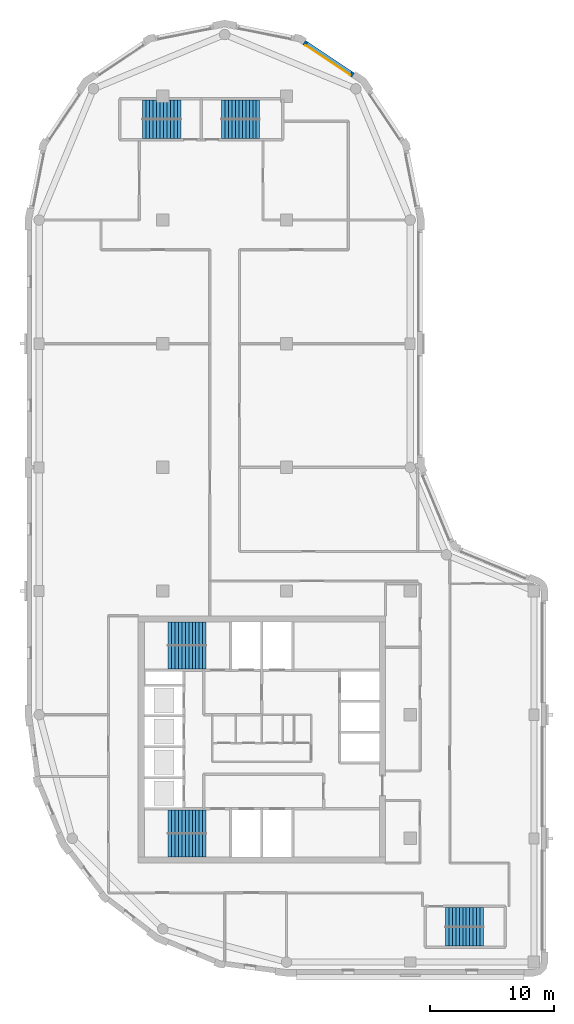
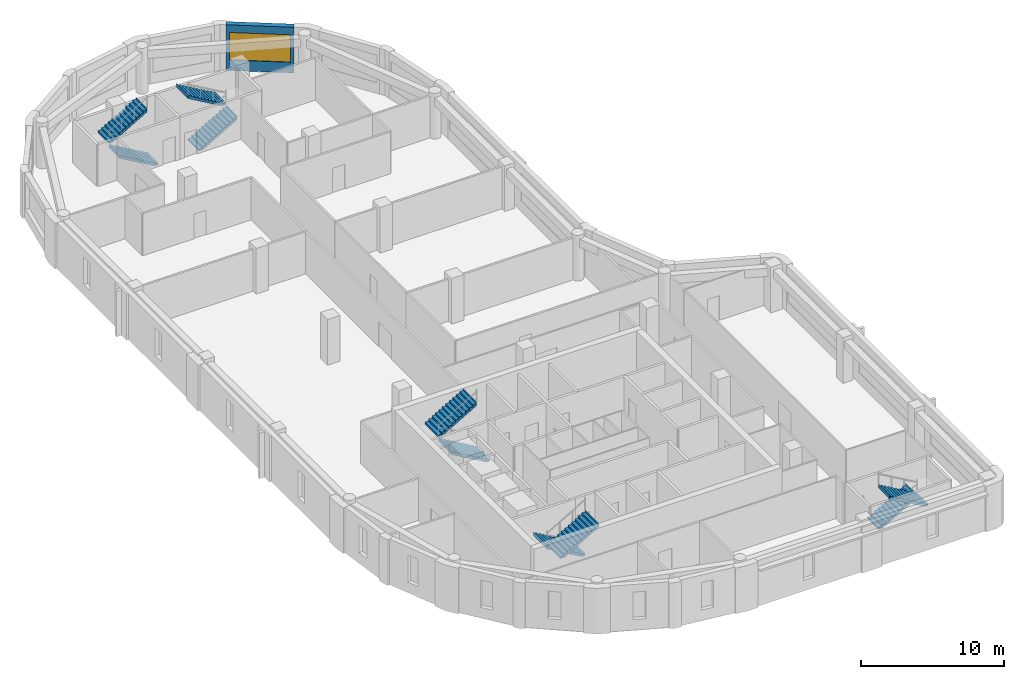
# One storey, part 6 of 8: 10 stair flights, 1 wall, 1 window, 1 opening, 5 elements without a shape of their own.
"""IFC4 building model written with IfcOpenShell, lengths in metres."""

from ifc_helpers import new_model, si_unit, direction, frame, frame_2d, origin, place, context, subcontext, project, spatial, polyline, rectangle, outline, extrude, material, layer, layer_set, type_object, element, fill, aggregate, save


model = new_model("IFC4")

# Units and contexts
model_context = context("Model", 3, precision=1e-05, world=origin(), true_north=direction((0.0, 1.0)))
body_context = subcontext(model_context, "Body", "Model", "MODEL_VIEW")
ifc_project = project(units=[si_unit("LENGTHUNIT", "METRE"), si_unit("AREAUNIT", "SQUARE_METRE"), si_unit("VOLUMEUNIT", "CUBIC_METRE"), si_unit("PLANEANGLEUNIT", "RADIAN"), si_unit("MASSUNIT", "GRAM", prefix="KILO")], contexts=[model_context])

# Site, building, storey
site_placement = place(None, origin())
site = spatial("IfcSite", under=ifc_project, at=site_placement, CompositionType="ELEMENT")
building_placement = place(site_placement, origin())
building = spatial("IfcBuilding", under=site, at=building_placement, Name="Qaws Garden Tower", CompositionType="ELEMENT")
storey_placement = place(building_placement, frame((0.0, 0.0, 302.10009765625)))
storey = spatial("IfcBuildingStorey", under=building, at=storey_placement, Name="L73", CompositionType="ELEMENT", Elevation=302.10009765625)

# Wall, opening, window
ifc_material_1 = material(Name="Clay facing brick masonry", Category="masonry")
ifc_layer = layer(ifc_material_1, 0.39990234375)
ifc_layer_set = layer_set([ifc_layer], Name="Clay facing brick masonry")
wall_type = type_object("IfcWallType", Name="Brick infill wall 400", PredefinedType="SOLIDWALL", material=ifc_layer_set)
wall_placement = place(storey_placement, frame((25.385986328125, 71.71630859375, 0.0), z_axis=(0.0, 0.0, 1.0), x_axis=(-0.831488775454, 0.555541552266, 0.0)))
wall = element("IfcWall", 1, at=wall_placement, inside=storey, type_object=wall_type, Name="E-L73-infill-11", PredefinedType="SOLIDWALL", context=body_context, shape_type="SweptSolid", body=[
    extrude(rectangle(XDim=4.752685546875, YDim=0.39990234375, at=frame_2d((2.37646484375, 0.0))), origin(), (0.0, 0.0, 1.0), 3.89990234375),
])
opening_placement = place(wall_placement, frame((0.226318359375, 0.0, 0.89990234375)))
opening = element("IfcOpeningElement", 2, at=opening_placement, cuts=wall, Name="Opening W06", PredefinedType="OPENING", context=body_context, shape_type="SweptSolid", body=[
    extrude(rectangle(XDim=4.300048828125, YDim=2.35009765625, at=frame_2d((2.14990234375, 1.175048828125))), frame((0.0, 0.2099609375, 0.0), z_axis=(0.0, -1.0, 0.0), x_axis=(1.0, 0.0, 0.0)), (0.0, 0.0, 1.0), 0.419921875),
])
ifc_material_2 = material(Name="Aluminium framed window, clear glazing", Category="aluminium")
window_type = type_object("IfcWindowType", Name="Ribbon window 4300 x 2350", PartitioningType="DOUBLE_PANEL_VERTICAL", PredefinedType="WINDOW", material=ifc_material_2)
window_placement = place(opening_placement, origin())
window = element("IfcWindow", 3, at=window_placement, inside=storey, type_object=window_type, Name="E-L73-window-11-0", OverallHeight=2.35009765625, OverallWidth=4.300048828125, PartitioningType="SINGLE_PANEL", PredefinedType="WINDOW", context=body_context, shape_type="SweptSolid", body=[
    extrude(rectangle(XDim=4.300048828125, YDim=2.35009765625, at=frame_2d((2.14990234375, 1.175048828125))), frame((0.0, 0.159912109375, 0.0), z_axis=(0.0, -1.0, 0.0), x_axis=(1.0, 0.0, 0.0)), (0.0, 0.0, 1.0), 0.06005859375),
])
fill(opening, window)

# Stair, stair flights
ifc_material_3 = material(Name="Concrete C40", Category="concrete")
stair_type_1 = type_object("IfcStairType", Name="Exit stair 1350", PredefinedType="HALF_TURN_STAIR", material=ifc_material_3)
placement = place(storey_placement, origin())
stair_1 = element("IfcStair", 4, at=placement, inside=storey, type_object=stair_type_1, Name="Stair 5", PredefinedType="HALF_TURN_STAIR")
ifc_material_4 = material(Name="Concrete C40", Category="concrete")
stair_flight_type_1 = type_object("IfcStairFlightType", Name="Stair flight 1350", PredefinedType="STRAIGHT", material=ifc_material_4)
stair_flight_1_placement = place(storey_placement, frame((32.85009765625, 3.625, 0.0), z_axis=(0.0, 0.0, 1.0), x_axis=(1.0, 0.0, 0.0)))
stair_flight_1 = element("IfcStairFlight", 5, at=stair_flight_1_placement, type_object=stair_flight_type_1, Name="ST5 flight 1", NumberOfRisers=12, NumberOfTreads=11, PredefinedType="STRAIGHT", RiserHeight=0.1625, TreadLength=0.28, context=body_context, shape_type="SweptSolid", body=[
    extrude(outline(polyline([(-0.0029296875, 0.0), (-0.0029296875, 0.16259765625), (0.0, 0.16259765625), (0.280029296875, 0.16259765625), (0.280029296875, 0.324951171875), (0.56005859375, 0.324951171875), (0.56005859375, 0.487548828125), (0.840087890625, 0.487548828125), (0.840087890625, 0.64990234375), (1.1201171875, 0.64990234375), (1.1201171875, 0.8125), (1.39990234375, 0.8125), (1.39990234375, 0.97509765625), (1.679931640625, 0.97509765625), (1.679931640625, 1.137451171875), (1.9599609375, 1.137451171875), (1.9599609375, 1.300048828125), (2.239990234375, 1.300048828125), (2.239990234375, 1.46240234375), (2.52001953125, 1.46240234375), (2.52001953125, 1.625), (2.800048828125, 1.625), (2.800048828125, 1.78759765625), (3.080078125, 1.78759765625), (3.080078125, 1.949951171875), (3.0830078125, 1.949951171875), (3.0830078125, 1.6142578125), (3.080078125, 1.6142578125), (0.298583984375, 0.0), (-0.0029296875, 0.0)])), frame((0.0, 0.77490234375, 0.0), z_axis=(0.0, -1.0, 0.0), x_axis=(1.0, 0.0, 0.0)), (0.0, 0.0, 1.0), 1.550048828125),
])
stair_flight_2_placement = place(storey_placement, frame((35.929931640625, 2.074951171875, 1.949951171875), z_axis=(0.0, 0.0, 1.0), x_axis=(-1.0, 0.0, 0.0)))
stair_flight_2 = element("IfcStairFlight", 6, at=stair_flight_2_placement, type_object=stair_flight_type_1, Name="ST5 flight 2", NumberOfRisers=12, NumberOfTreads=11, PredefinedType="STRAIGHT", RiserHeight=0.1625, TreadLength=0.28, context=body_context, shape_type="SweptSolid", body=[
    extrude(outline(polyline([(-0.0029296875, 0.0), (-0.0029296875, 0.16259765625), (0.0, 0.16259765625), (0.280029296875, 0.16259765625), (0.280029296875, 0.324951171875), (0.56005859375, 0.324951171875), (0.56005859375, 0.487548828125), (0.840087890625, 0.487548828125), (0.840087890625, 0.64990234375), (1.1201171875, 0.64990234375), (1.1201171875, 0.8125), (1.39990234375, 0.8125), (1.39990234375, 0.97509765625), (1.679931640625, 0.97509765625), (1.679931640625, 1.137451171875), (1.9599609375, 1.137451171875), (1.9599609375, 1.300048828125), (2.239990234375, 1.300048828125), (2.239990234375, 1.46240234375), (2.52001953125, 1.46240234375), (2.52001953125, 1.625), (2.800048828125, 1.625), (2.800048828125, 1.78759765625), (3.080078125, 1.78759765625), (3.080078125, 1.949951171875), (3.0830078125, 1.949951171875), (3.0830078125, 1.6142578125), (3.080078125, 1.6142578125), (0.298583984375, 0.0), (-0.0029296875, 0.0)])), frame((0.0, 0.77490234375, 0.0), z_axis=(0.0, -1.0, 0.0), x_axis=(1.0, 0.0, 0.0)), (0.0, 0.0, 1.0), 1.550048828125),
])
aggregate(stair_1, [stair_flight_1, stair_flight_2])

stair_2 = element("IfcStair", 7, at=placement, inside=storey, type_object=stair_type_1, Name="Stair 6", PredefinedType="HALF_TURN_STAIR")
stair_flight_3_placement = place(storey_placement, frame((11.449951171875, 67.375, 0.0), z_axis=(0.0, 0.0, 1.0), x_axis=(-1.0, 0.0, 0.0)))
stair_flight_3 = element("IfcStairFlight", 8, at=stair_flight_3_placement, type_object=stair_flight_type_1, Name="ST6 flight 1", NumberOfRisers=12, NumberOfTreads=11, PredefinedType="STRAIGHT", RiserHeight=0.1625, TreadLength=0.28, context=body_context, shape_type="SweptSolid", body=[
    extrude(outline(polyline([(-0.0029296875, 0.0), (-0.0029296875, 0.16259765625), (0.0, 0.16259765625), (0.280029296875, 0.16259765625), (0.280029296875, 0.324951171875), (0.56005859375, 0.324951171875), (0.56005859375, 0.487548828125), (0.840087890625, 0.487548828125), (0.840087890625, 0.64990234375), (1.1201171875, 0.64990234375), (1.1201171875, 0.8125), (1.39990234375, 0.8125), (1.39990234375, 0.97509765625), (1.679931640625, 0.97509765625), (1.679931640625, 1.137451171875), (1.9599609375, 1.137451171875), (1.9599609375, 1.300048828125), (2.239990234375, 1.300048828125), (2.239990234375, 1.46240234375), (2.52001953125, 1.46240234375), (2.52001953125, 1.625), (2.800048828125, 1.625), (2.800048828125, 1.78759765625), (3.080078125, 1.78759765625), (3.080078125, 1.949951171875), (3.0830078125, 1.949951171875), (3.0830078125, 1.6142578125), (3.080078125, 1.6142578125), (0.298583984375, 0.0), (-0.0029296875, 0.0)])), frame((0.0, 0.77490234375, 0.0), z_axis=(0.0, -1.0, 0.0), x_axis=(1.0, 0.0, 0.0)), (0.0, 0.0, 1.0), 1.550048828125),
])
stair_flight_4_placement = place(storey_placement, frame((8.3701171875, 68.925048828125, 1.949951171875), z_axis=(0.0, 0.0, 1.0), x_axis=(1.0, 0.0, 0.0)))
stair_flight_4 = element("IfcStairFlight", 9, at=stair_flight_4_placement, type_object=stair_flight_type_1, Name="ST6 flight 2", NumberOfRisers=12, NumberOfTreads=11, PredefinedType="STRAIGHT", RiserHeight=0.1625, TreadLength=0.28, context=body_context, shape_type="SweptSolid", body=[
    extrude(outline(polyline([(-0.0029296875, 0.0), (-0.0029296875, 0.16259765625), (0.0, 0.16259765625), (0.280029296875, 0.16259765625), (0.280029296875, 0.324951171875), (0.56005859375, 0.324951171875), (0.56005859375, 0.487548828125), (0.840087890625, 0.487548828125), (0.840087890625, 0.64990234375), (1.1201171875, 0.64990234375), (1.1201171875, 0.8125), (1.39990234375, 0.8125), (1.39990234375, 0.97509765625), (1.679931640625, 0.97509765625), (1.679931640625, 1.137451171875), (1.9599609375, 1.137451171875), (1.9599609375, 1.300048828125), (2.239990234375, 1.300048828125), (2.239990234375, 1.46240234375), (2.52001953125, 1.46240234375), (2.52001953125, 1.625), (2.800048828125, 1.625), (2.800048828125, 1.78759765625), (3.080078125, 1.78759765625), (3.080078125, 1.949951171875), (3.0830078125, 1.949951171875), (3.0830078125, 1.6142578125), (3.080078125, 1.6142578125), (0.298583984375, 0.0), (-0.0029296875, 0.0)])), frame((0.0, 0.77490234375, 0.0), z_axis=(0.0, -1.0, 0.0), x_axis=(1.0, 0.0, 0.0)), (0.0, 0.0, 1.0), 1.550048828125),
])
aggregate(stair_2, [stair_flight_3, stair_flight_4])

stair_3 = element("IfcStair", 10, at=placement, inside=storey, type_object=stair_type_1, Name="Stair 7", PredefinedType="HALF_TURN_STAIR")
stair_flight_5_placement = place(storey_placement, frame((14.75, 67.375, 0.0), z_axis=(0.0, 0.0, 1.0), x_axis=(1.0, 0.0, 0.0)))
stair_flight_5 = element("IfcStairFlight", 11, at=stair_flight_5_placement, type_object=stair_flight_type_1, Name="ST7 flight 1", NumberOfRisers=12, NumberOfTreads=11, PredefinedType="STRAIGHT", RiserHeight=0.1625, TreadLength=0.28, context=body_context, shape_type="SweptSolid", body=[
    extrude(outline(polyline([(-0.0029296875, 0.0), (-0.0029296875, 0.16259765625), (0.0, 0.16259765625), (0.280029296875, 0.16259765625), (0.280029296875, 0.324951171875), (0.56005859375, 0.324951171875), (0.56005859375, 0.487548828125), (0.840087890625, 0.487548828125), (0.840087890625, 0.64990234375), (1.1201171875, 0.64990234375), (1.1201171875, 0.8125), (1.39990234375, 0.8125), (1.39990234375, 0.97509765625), (1.679931640625, 0.97509765625), (1.679931640625, 1.137451171875), (1.9599609375, 1.137451171875), (1.9599609375, 1.300048828125), (2.239990234375, 1.300048828125), (2.239990234375, 1.46240234375), (2.52001953125, 1.46240234375), (2.52001953125, 1.625), (2.800048828125, 1.625), (2.800048828125, 1.78759765625), (3.080078125, 1.78759765625), (3.080078125, 1.949951171875), (3.0830078125, 1.949951171875), (3.0830078125, 1.6142578125), (3.080078125, 1.6142578125), (0.298583984375, 0.0), (-0.0029296875, 0.0)])), frame((0.0, 0.77490234375, 0.0), z_axis=(0.0, -1.0, 0.0), x_axis=(1.0, 0.0, 0.0)), (0.0, 0.0, 1.0), 1.550048828125),
])
stair_flight_6_placement = place(storey_placement, frame((17.830078125, 68.925048828125, 1.949951171875), z_axis=(0.0, 0.0, 1.0), x_axis=(-1.0, 0.0, 0.0)))
stair_flight_6 = element("IfcStairFlight", 12, at=stair_flight_6_placement, type_object=stair_flight_type_1, Name="ST7 flight 2", NumberOfRisers=12, NumberOfTreads=11, PredefinedType="STRAIGHT", RiserHeight=0.1625, TreadLength=0.28, context=body_context, shape_type="SweptSolid", body=[
    extrude(outline(polyline([(-0.0029296875, 0.0), (-0.0029296875, 0.16259765625), (0.0, 0.16259765625), (0.280029296875, 0.16259765625), (0.280029296875, 0.324951171875), (0.56005859375, 0.324951171875), (0.56005859375, 0.487548828125), (0.840087890625, 0.487548828125), (0.840087890625, 0.64990234375), (1.1201171875, 0.64990234375), (1.1201171875, 0.8125), (1.39990234375, 0.8125), (1.39990234375, 0.97509765625), (1.679931640625, 0.97509765625), (1.679931640625, 1.137451171875), (1.9599609375, 1.137451171875), (1.9599609375, 1.300048828125), (2.239990234375, 1.300048828125), (2.239990234375, 1.46240234375), (2.52001953125, 1.46240234375), (2.52001953125, 1.625), (2.800048828125, 1.625), (2.800048828125, 1.78759765625), (3.080078125, 1.78759765625), (3.080078125, 1.949951171875), (3.0830078125, 1.949951171875), (3.0830078125, 1.6142578125), (3.080078125, 1.6142578125), (0.298583984375, 0.0), (-0.0029296875, 0.0)])), frame((0.0, 0.77490234375, 0.0), z_axis=(0.0, -1.0, 0.0), x_axis=(1.0, 0.0, 0.0)), (0.0, 0.0, 1.0), 1.550048828125),
])
aggregate(stair_3, [stair_flight_5, stair_flight_6])

ifc_material_5 = material(Name="Concrete C40", Category="concrete")
stair_type_2 = type_object("IfcStairType", Name="Exit stair 1500", PredefinedType="HALF_TURN_STAIR", material=ifc_material_5)
stair_4 = element("IfcStair", 13, at=placement, inside=storey, type_object=stair_type_2, Name="Stair 1", PredefinedType="HALF_TURN_STAIR")
ifc_material_6 = material(Name="Concrete C40", Category="concrete")
stair_flight_type_2 = type_object("IfcStairFlightType", Name="Stair flight 1500", PredefinedType="STRAIGHT", material=ifc_material_6)
stair_flight_7_placement = place(storey_placement, frame((13.5, 11.35009765625, 0.0), z_axis=(0.0, 0.0, 1.0), x_axis=(-1.0, 0.0, 0.0)))
stair_flight_7 = element("IfcStairFlight", 14, at=stair_flight_7_placement, type_object=stair_flight_type_2, Name="ST1 flight 1", NumberOfRisers=12, NumberOfTreads=11, PredefinedType="STRAIGHT", RiserHeight=0.1625, TreadLength=0.28, context=body_context, shape_type="SweptSolid", body=[
    extrude(outline(polyline([(-0.0029296875, 0.0), (-0.0029296875, 0.16259765625), (0.0, 0.16259765625), (0.280029296875, 0.16259765625), (0.280029296875, 0.324951171875), (0.56005859375, 0.324951171875), (0.56005859375, 0.487548828125), (0.840087890625, 0.487548828125), (0.840087890625, 0.64990234375), (1.1201171875, 0.64990234375), (1.1201171875, 0.8125), (1.39990234375, 0.8125), (1.39990234375, 0.97509765625), (1.679931640625, 0.97509765625), (1.679931640625, 1.137451171875), (1.9599609375, 1.137451171875), (1.9599609375, 1.300048828125), (2.239990234375, 1.300048828125), (2.239990234375, 1.46240234375), (2.52001953125, 1.46240234375), (2.52001953125, 1.625), (2.800048828125, 1.625), (2.800048828125, 1.78759765625), (3.080078125, 1.78759765625), (3.080078125, 1.949951171875), (3.0830078125, 1.949951171875), (3.0830078125, 1.6142578125), (3.080078125, 1.6142578125), (0.298583984375, 0.0), (-0.0029296875, 0.0)])), frame((0.0, 0.949951171875, 0.0), z_axis=(0.0, -1.0, 0.0), x_axis=(1.0, 0.0, 0.0)), (0.0, 0.0, 1.0), 1.89990234375),
])
stair_flight_8_placement = place(storey_placement, frame((10.419921875, 9.449951171875, 1.949951171875), z_axis=(0.0, 0.0, 1.0), x_axis=(1.0, 0.0, 0.0)))
stair_flight_8 = element("IfcStairFlight", 15, at=stair_flight_8_placement, type_object=stair_flight_type_2, Name="ST1 flight 2", NumberOfRisers=12, NumberOfTreads=11, PredefinedType="STRAIGHT", RiserHeight=0.1625, TreadLength=0.28, context=body_context, shape_type="SweptSolid", body=[
    extrude(outline(polyline([(-0.0029296875, 0.0), (-0.0029296875, 0.16259765625), (0.0, 0.16259765625), (0.280029296875, 0.16259765625), (0.280029296875, 0.324951171875), (0.56005859375, 0.324951171875), (0.56005859375, 0.487548828125), (0.840087890625, 0.487548828125), (0.840087890625, 0.64990234375), (1.1201171875, 0.64990234375), (1.1201171875, 0.8125), (1.39990234375, 0.8125), (1.39990234375, 0.97509765625), (1.679931640625, 0.97509765625), (1.679931640625, 1.137451171875), (1.9599609375, 1.137451171875), (1.9599609375, 1.300048828125), (2.239990234375, 1.300048828125), (2.239990234375, 1.46240234375), (2.52001953125, 1.46240234375), (2.52001953125, 1.625), (2.800048828125, 1.625), (2.800048828125, 1.78759765625), (3.080078125, 1.78759765625), (3.080078125, 1.949951171875), (3.0830078125, 1.949951171875), (3.0830078125, 1.6142578125), (3.080078125, 1.6142578125), (0.298583984375, 0.0), (-0.0029296875, 0.0)])), frame((0.0, 0.949951171875, 0.0), z_axis=(0.0, -1.0, 0.0), x_axis=(1.0, 0.0, 0.0)), (0.0, 0.0, 1.0), 1.89990234375),
])
aggregate(stair_4, [stair_flight_7, stair_flight_8])

stair_5 = element("IfcStair", 16, at=placement, inside=storey, type_object=stair_type_2, Name="Stair 4", PredefinedType="HALF_TURN_STAIR")
stair_flight_9_placement = place(storey_placement, frame((13.5, 24.64990234375, 0.0), z_axis=(0.0, 0.0, 1.0), x_axis=(-1.0, 0.0, 0.0)))
stair_flight_9 = element("IfcStairFlight", 17, at=stair_flight_9_placement, type_object=stair_flight_type_2, Name="ST4 flight 1", NumberOfRisers=12, NumberOfTreads=11, PredefinedType="STRAIGHT", RiserHeight=0.1625, TreadLength=0.28, context=body_context, shape_type="SweptSolid", body=[
    extrude(outline(polyline([(-0.0029296875, 0.0), (-0.0029296875, 0.16259765625), (0.0, 0.16259765625), (0.280029296875, 0.16259765625), (0.280029296875, 0.324951171875), (0.56005859375, 0.324951171875), (0.56005859375, 0.487548828125), (0.840087890625, 0.487548828125), (0.840087890625, 0.64990234375), (1.1201171875, 0.64990234375), (1.1201171875, 0.8125), (1.39990234375, 0.8125), (1.39990234375, 0.97509765625), (1.679931640625, 0.97509765625), (1.679931640625, 1.137451171875), (1.9599609375, 1.137451171875), (1.9599609375, 1.300048828125), (2.239990234375, 1.300048828125), (2.239990234375, 1.46240234375), (2.52001953125, 1.46240234375), (2.52001953125, 1.625), (2.800048828125, 1.625), (2.800048828125, 1.78759765625), (3.080078125, 1.78759765625), (3.080078125, 1.949951171875), (3.0830078125, 1.949951171875), (3.0830078125, 1.6142578125), (3.080078125, 1.6142578125), (0.298583984375, 0.0), (-0.0029296875, 0.0)])), frame((0.0, 0.94482421875, 0.0), z_axis=(0.0, -1.0, 0.0), x_axis=(1.0, 0.0, 0.0)), (0.0, 0.0, 1.0), 1.889892578125),
])
stair_flight_10_placement = place(storey_placement, frame((10.419921875, 26.550048828125, 1.949951171875), z_axis=(0.0, 0.0, 1.0), x_axis=(1.0, 0.0, 0.0)))
stair_flight_10 = element("IfcStairFlight", 18, at=stair_flight_10_placement, type_object=stair_flight_type_2, Name="ST4 flight 2", NumberOfRisers=12, NumberOfTreads=11, PredefinedType="STRAIGHT", RiserHeight=0.1625, TreadLength=0.28, context=body_context, shape_type="SweptSolid", body=[
    extrude(outline(polyline([(-0.0029296875, 0.0), (-0.0029296875, 0.16259765625), (0.0, 0.16259765625), (0.280029296875, 0.16259765625), (0.280029296875, 0.324951171875), (0.56005859375, 0.324951171875), (0.56005859375, 0.487548828125), (0.840087890625, 0.487548828125), (0.840087890625, 0.64990234375), (1.1201171875, 0.64990234375), (1.1201171875, 0.8125), (1.39990234375, 0.8125), (1.39990234375, 0.97509765625), (1.679931640625, 0.97509765625), (1.679931640625, 1.137451171875), (1.9599609375, 1.137451171875), (1.9599609375, 1.300048828125), (2.239990234375, 1.300048828125), (2.239990234375, 1.46240234375), (2.52001953125, 1.46240234375), (2.52001953125, 1.625), (2.800048828125, 1.625), (2.800048828125, 1.78759765625), (3.080078125, 1.78759765625), (3.080078125, 1.949951171875), (3.0830078125, 1.949951171875), (3.0830078125, 1.6142578125), (3.080078125, 1.6142578125), (0.298583984375, 0.0), (-0.0029296875, 0.0)])), frame((0.0, 0.94482421875, 0.0), z_axis=(0.0, -1.0, 0.0), x_axis=(1.0, 0.0, 0.0)), (0.0, 0.0, 1.0), 1.889892578125),
])
aggregate(stair_5, [stair_flight_9, stair_flight_10])

save(model, "model.ifc")
